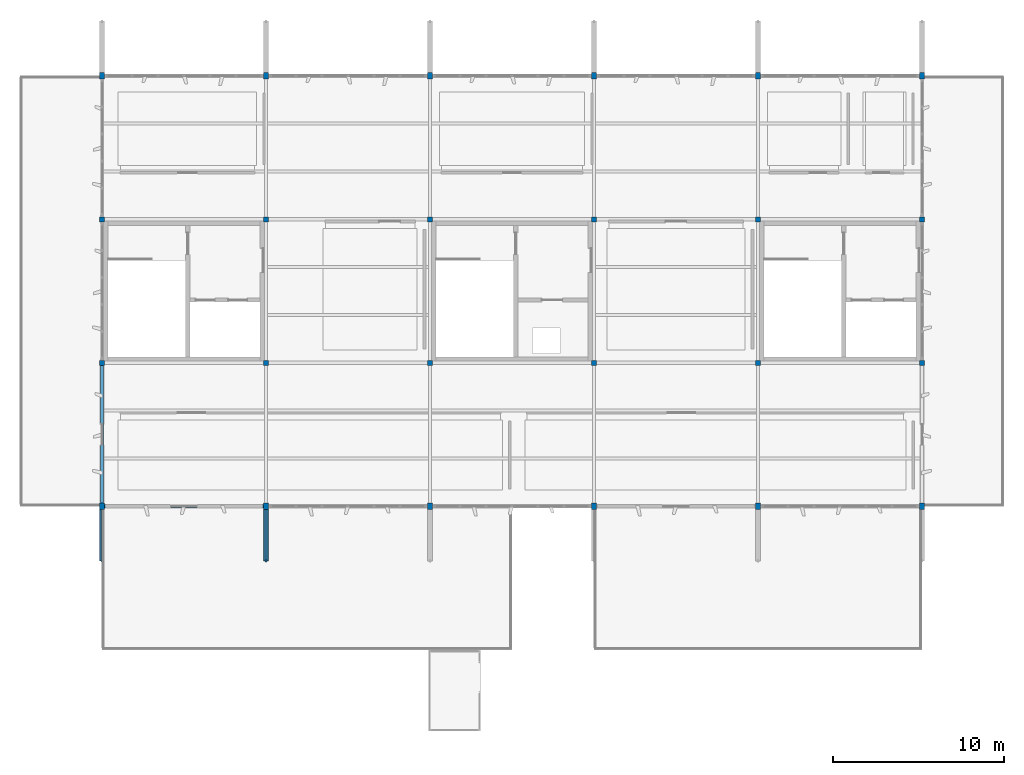
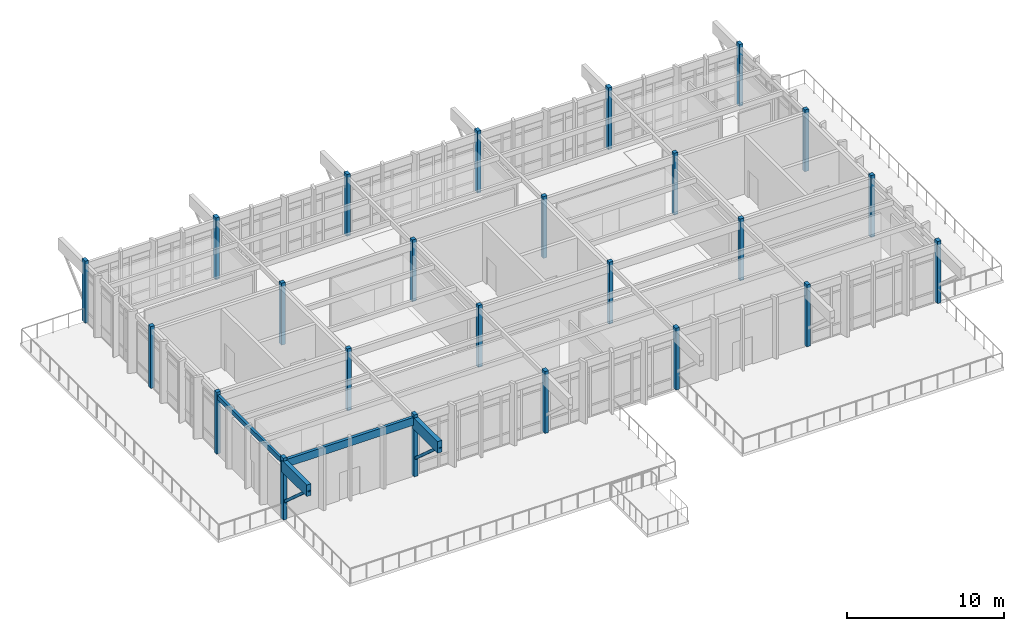
# One storey, part 1 of 19: 24 columns, 4 beams, 2 members.
"""IFC4 building model written with IfcOpenShell, lengths in metres."""

import ifcopenshell
import ifcopenshell.guid

model = None  # the IFC model being written
_history = None  # IfcOwnerHistory: only IFC2X3 demands one
_inside = {}  # id of a spatial element -> (the spatial element, [elements in it])
_under = {}  # id of a project, library or spatial element -> (it, [spatial elements below it])
_declared = {}  # id of a project -> (the project, [libraries it declares])
_typed = {}  # id of a type object -> (the type object, [elements of that type])
_made_of = {}  # id of a material, layer set ... -> (it, [elements and type objects made of it])


def new_model(schema):
    """Start an empty IFC model of exactly this schema.

    Asked for "IFC4X3", IfcOpenShell would pick the latest addendum, in which some entities
    have other attributes; the version numbers below select the first issue.
    IFC2X3 requires an IfcOwnerHistory on every rooted entity: one is made here for all.
    """
    global model, _history
    if schema == "IFC4X3":
        model = ifcopenshell.file(schema_version=(4, 3, 0, 0))
    else:
        model = ifcopenshell.file(schema=schema)
    _inside.clear()
    _under.clear()
    _declared.clear()
    _typed.clear()
    _made_of.clear()
    _history = None
    if model.schema == "IFC2X3":
        org = make("IfcOrganization", Name="unknown")
        user = make(
            "IfcPersonAndOrganization",
            ThePerson=make("IfcPerson", FamilyName="unknown"),
            TheOrganization=org,
        )
        app = make(
            "IfcApplication",
            ApplicationDeveloper=org,
            Version="unknown",
            ApplicationFullName="unknown",
            ApplicationIdentifier="unknown",
        )
        _history = make(
            "IfcOwnerHistory",
            OwningUser=user,
            OwningApplication=app,
            ChangeAction="ADDED",
            CreationDate=0,
        )
    return model


def make(cls, **values):
    """One entity of the class cls with the attributes given. An attribute that is None is left unset."""
    return model.create_entity(
        cls, **{name: value for name, value in values.items() if value is not None}
    )


def rooted(cls, **values):
    """An entity with a GlobalId (a new one), such as an element, a storey or a relation."""
    return make(cls, GlobalId=ifcopenshell.guid.new(), OwnerHistory=_history, **values)


def si_unit(unit_type, name, prefix=None):
    """IfcSIUnit, for example si_unit("LENGTHUNIT", "METRE", prefix="MILLI")."""
    return make("IfcSIUnit", UnitType=unit_type, Prefix=prefix, Name=name)


def assignment(units):
    """IfcUnitAssignment: the units of a project."""
    return None if units is None else make("IfcUnitAssignment", Units=units)


def point(xyz):
    """IfcCartesianPoint."""
    return None if xyz is None else make("IfcCartesianPoint", Coordinates=xyz)


def direction(xyz):
    """IfcDirection."""
    return None if xyz is None else make("IfcDirection", DirectionRatios=xyz)


def frame(location, z_axis=None, x_axis=None):
    """IfcAxis2Placement3D, a coordinate frame: its origin and axes. An axis left out is left unset."""
    return make(
        "IfcAxis2Placement3D",
        Location=point(location),
        Axis=direction(z_axis),
        RefDirection=direction(x_axis),
    )


def frame_2d(location, x_axis=None):
    """IfcAxis2Placement2D, a coordinate frame in the plane: its origin and x axis."""
    return make(
        "IfcAxis2Placement2D", Location=point(location), RefDirection=direction(x_axis)
    )


def origin():
    """The frame at (0, 0, 0) with its axes left unset."""
    return frame((0.0, 0.0, 0.0))


def origin_2d():
    """The frame at (0, 0) in the plane with its x axis left unset."""
    return frame_2d((0.0, 0.0))


def place(relative_to, where):
    """IfcLocalPlacement: puts the frame where relative to a parent placement (None: the world)."""
    return make(
        "IfcLocalPlacement", PlacementRelTo=relative_to, RelativePlacement=where
    )


def context(
    kind, dimensions, precision=None, world=None, true_north=None, identifier=None
):
    """IfcGeometricRepresentationContext, for example the 3D "Model" context."""
    return make(
        "IfcGeometricRepresentationContext",
        ContextIdentifier=identifier,
        ContextType=kind,
        CoordinateSpaceDimension=dimensions,
        Precision=precision,
        WorldCoordinateSystem=world,
        TrueNorth=true_north,
    )


def subcontext(parent, identifier, kind, view, scale=None):
    """IfcGeometricRepresentationSubContext, for example "Body" below "Model"."""
    return make(
        "IfcGeometricRepresentationSubContext",
        ContextIdentifier=identifier,
        ContextType=kind,
        ParentContext=parent,
        TargetScale=scale,
        TargetView=view,
    )


def project(units=None, contexts=None):
    """IfcProject with its units and contexts."""
    return rooted(
        "IfcProject",
        Name="project",
        RepresentationContexts=contexts,
        UnitsInContext=assignment(units),
    )


def spatial(cls, under=None, at=None, **own):
    """A site, building, storey or space (cls), placed at a placement, below another one or the project."""
    s = rooted(cls, ObjectPlacement=at, **own)
    if under is not None:
        _under.setdefault(under.id(), (under, []))[1].append(s)
    return s


def profile(cls, at=None, kind="AREA", **sizes):
    """A parametric profile (cls). Its sizes go by their IFC names, for example OverallWidth=200.0."""
    return make(cls, ProfileType=kind, Position=at, **sizes)


def rectangle(**sizes):
    """IfcRectangleProfileDef."""
    return profile("IfcRectangleProfileDef", **sizes)


def hollow_rectangle(**sizes):
    """IfcRectangleHollowProfileDef."""
    return profile("IfcRectangleHollowProfileDef", **sizes)


def extrude(swept, where, along, depth):
    """IfcExtrudedAreaSolid: the profile swept, set in the frame where, extruded along a direction by depth."""
    return make(
        "IfcExtrudedAreaSolid",
        SweptArea=swept,
        Position=where,
        ExtrudedDirection=direction(along),
        Depth=depth,
    )


def shape(context_of_items, identifier, shape_type, items):
    """IfcShapeRepresentation: the items that make up one representation, for example the "Body"."""
    return make(
        "IfcShapeRepresentation",
        ContextOfItems=context_of_items,
        RepresentationIdentifier=identifier,
        RepresentationType=shape_type,
        Items=items,
    )


def material(Name=None, Category=None):
    """IfcMaterial."""
    return make("IfcMaterial", Name=Name, Category=Category)


def material_profile(
    of_material, cross_section, Name=None, Category=None, Priority=None
):
    """IfcMaterialProfile: a cross section and its material."""
    return make(
        "IfcMaterialProfile",
        Name=Name,
        Material=of_material,
        Profile=cross_section,
        Priority=Priority,
        Category=Category,
    )


def profile_set(profiles, Name=None, composite=None):
    """IfcMaterialProfileSet."""
    return make(
        "IfcMaterialProfileSet",
        Name=Name,
        MaterialProfiles=profiles,
        CompositeProfile=composite,
    )


def made_of(thing, what):
    """Note that an element or type object is made of a material, layer set ...; save() writes the relation."""
    if what is not None:
        _made_of.setdefault(what.id(), (what, []))[1].append(thing)
    return thing


def type_object(cls, material=None, **own):
    """A type object (cls), such as IfcWallType, which elements share."""
    return made_of(rooted(cls, **own), material)


def element(
    cls,
    number,
    at=None,
    inside=None,
    cuts=None,
    type_object=None,
    material=None,
    context=None,
    identifier="Body",
    shape_type=None,
    held_by="IfcProductDefinitionShape",
    body=None,
    shapes=None,
    **own,
):
    """One element of the class cls, such as IfcWall. Its Tag is "e" and its number.

    at: its placement. inside: the storey or other place that contains it. cuts: it is an
    opening in that element (IfcRelVoidsElement). A single representation is given by context,
    identifier, shape_type and body (its items); several are given by shapes. held_by: the class
    of the entity that holds the representations. save() writes the other relations.
    """
    e = rooted(cls, Tag="e%d" % number, ObjectPlacement=at, **own)
    if body is not None:
        shapes = [shape(context, identifier, shape_type, body)]
    if shapes is not None:
        e.Representation = make(held_by, Representations=shapes)
    if inside is not None:
        _inside.setdefault(inside.id(), (inside, []))[1].append(e)
    if cuts is not None:
        rooted(
            "IfcRelVoidsElement", RelatingBuildingElement=cuts, RelatedOpeningElement=e
        )
    if type_object is not None:
        _typed.setdefault(type_object.id(), (type_object, []))[1].append(e)
    return made_of(e, material)


def aggregate(whole, parts):
    """IfcRelAggregates: a whole, such as a stair, and the parts it consists of."""
    return rooted("IfcRelAggregates", RelatingObject=whole, RelatedObjects=parts)


def save(model, path):
    """Write the relations noted so far, then the file.

    IfcRelAggregates (storeys below a building ...), IfcRelContainedInSpatialStructure (elements
    in a storey), IfcRelDefinesByType, IfcRelAssociatesMaterial and IfcRelDeclares: one each for
    every whole, place, type object, material and project.
    """
    for whole, parts in _under.values():
        aggregate(whole, parts)
    for where, things in _inside.values():
        rooted(
            "IfcRelContainedInSpatialStructure",
            RelatedElements=things,
            RelatingStructure=where,
        )
    for kind, things in _typed.values():
        rooted("IfcRelDefinesByType", RelatedObjects=things, RelatingType=kind)
    for what, things in _made_of.values():
        rooted("IfcRelAssociatesMaterial", RelatedObjects=things, RelatingMaterial=what)
    for by, libraries in _declared.values():
        rooted("IfcRelDeclares", RelatingContext=by, RelatedDefinitions=libraries)
    model.write(path)


model = new_model("IFC4")

# Units and contexts
model_context = context("Model", 3, precision=1e-05, world=origin(), true_north=direction((0.0, 1.0)))
body_context = subcontext(model_context, "Body", "Model", "MODEL_VIEW")
ifc_project = project(units=[si_unit("LENGTHUNIT", "METRE"), si_unit("AREAUNIT", "SQUARE_METRE"), si_unit("VOLUMEUNIT", "CUBIC_METRE"), si_unit("PLANEANGLEUNIT", "RADIAN"), si_unit("MASSUNIT", "GRAM", prefix="KILO")], contexts=[model_context])

# Site, building, storey
site_placement = place(None, origin())
site = spatial("IfcSite", under=ifc_project, at=site_placement, CompositionType="ELEMENT")
building_placement = place(site_placement, origin())
building = spatial("IfcBuilding", under=site, at=building_placement, Name="Kolvemor Railside Polytechnic", CompositionType="ELEMENT")
storey_placement = place(building_placement, frame((0.0, 0.0, 27.0)))
storey = spatial("IfcBuildingStorey", under=building, at=storey_placement, Name="L06", CompositionType="ELEMENT", Elevation=27.0)

# Columns
ifc_material_1 = material(Name="Glulam GL28h", Category="wood")
ifc_material_profile_1 = material_profile(ifc_material_1, rectangle(XDim=0.264892578125, YDim=0.3798828125, at=origin_2d()), Name="GL265x380")
ifc_profile_set_1 = profile_set([ifc_material_profile_1], Name="Glulam GL28h")
column_type_1 = type_object("IfcColumnType", Name="COL-GL265x380", PredefinedType="COLUMN", material=ifc_profile_set_1)
for number, where, z_axis, x_axis, name in (
    (1, (67.199951171875, 13.199951171875, 0.0), (0.0, 0.0, 1.0), (1.0, 0.0, 0.0), "Column L06-C001"),
    (2, (67.199951171875, 38.39990234375, 0.0), (0.0, 0.0, 1.0), (1.0, 0.0, 0.0), "Column L06-C004"),
    (3, (76.800048828125, 13.199951171875, 0.0), (0.0, 0.0, 1.0), (1.0, 0.0, 0.0), "Column L06-C005"),
    (4, (76.800048828125, 38.39990234375, 0.0), (0.0, 0.0, 1.0), (1.0, 0.0, 0.0), "Column L06-C008"),
    (5, (86.39990234375, 13.199951171875, 0.0), (0.0, 0.0, 1.0), (1.0, 0.0, 0.0), "Column L06-C009"),
    (6, (86.39990234375, 38.39990234375, 0.0), (0.0, 0.0, 1.0), (1.0, 0.0, 0.0), "Column L06-C012"),
    (7, (96.0, 13.199951171875, 0.0), (0.0, 0.0, 1.0), (1.0, 0.0, 0.0), "Column L06-C013"),
    (8, (96.0, 38.39990234375, 0.0), (0.0, 0.0, 1.0), (1.0, 0.0, 0.0), "Column L06-C016"),
    (9, (105.60009765625, 13.199951171875, 0.0), (0.0, 0.0, 1.0), (1.0, 0.0, 0.0), "Column L06-C017"),
    (10, (105.60009765625, 38.39990234375, 0.0), (0.0, 0.0, 1.0), (1.0, 0.0, 0.0), "Column L06-C020"),
    (11, (115.199951171875, 13.199951171875, 0.0), (0.0, 0.0, 1.0), (1.0, 0.0, 0.0), "Column L06-C021"),
    (12, (115.199951171875, 38.39990234375, 0.0), (0.0, 0.0, 1.0), (1.0, 0.0, 0.0), "Column L06-C024"),
):
    element("IfcColumn", number, at=place(storey_placement, frame(where, z_axis=z_axis, x_axis=x_axis)), inside=storey, type_object=column_type_1, Name=name, PredefinedType="COLUMN", context=body_context, shape_type="SweptSolid", body=[
        extrude(rectangle(XDim=0.264892578125, YDim=0.3798828125, at=origin_2d()), origin(), (0.0, 0.0, 1.0), 4.800048828125),
    ])
ifc_material_2 = material(Name="Glulam GL28h", Category="wood")
ifc_material_profile_2 = material_profile(ifc_material_2, rectangle(XDim=0.2900390625, YDim=0.2900390625, at=origin_2d()), Name="GL290x290")
ifc_profile_set_2 = profile_set([ifc_material_profile_2], Name="Glulam GL28h")
column_type_2 = type_object("IfcColumnType", Name="COL-GL290", PredefinedType="COLUMN", material=ifc_profile_set_2)
for number, where, z_axis, x_axis, name in (
    (13, (67.199951171875, 21.60009765625, 0.0), (0.0, 0.0, 1.0), (1.0, 0.0, 0.0), "Column L06-C002"),
    (14, (67.199951171875, 30.0, 0.0), (0.0, 0.0, 1.0), (1.0, 0.0, 0.0), "Column L06-C003"),
    (15, (76.800048828125, 21.60009765625, 0.0), (0.0, 0.0, 1.0), (1.0, 0.0, 0.0), "Column L06-C006"),
    (16, (76.800048828125, 30.0, 0.0), (0.0, 0.0, 1.0), (1.0, 0.0, 0.0), "Column L06-C007"),
    (17, (86.39990234375, 21.60009765625, 0.0), (0.0, 0.0, 1.0), (1.0, 0.0, 0.0), "Column L06-C010"),
    (18, (86.39990234375, 30.0, 0.0), (0.0, 0.0, 1.0), (1.0, 0.0, 0.0), "Column L06-C011"),
    (19, (96.0, 21.60009765625, 0.0), (0.0, 0.0, 1.0), (1.0, 0.0, 0.0), "Column L06-C014"),
    (20, (96.0, 30.0, 0.0), (0.0, 0.0, 1.0), (1.0, 0.0, 0.0), "Column L06-C015"),
    (21, (105.60009765625, 21.60009765625, 0.0), (0.0, 0.0, 1.0), (1.0, 0.0, 0.0), "Column L06-C018"),
    (22, (105.60009765625, 30.0, 0.0), (0.0, 0.0, 1.0), (1.0, 0.0, 0.0), "Column L06-C019"),
    (23, (115.199951171875, 21.60009765625, 0.0), (0.0, 0.0, 1.0), (1.0, 0.0, 0.0), "Column L06-C022"),
    (24, (115.199951171875, 30.0, 0.0), (0.0, 0.0, 1.0), (1.0, 0.0, 0.0), "Column L06-C023"),
):
    element("IfcColumn", number, at=place(storey_placement, frame(where, z_axis=z_axis, x_axis=x_axis)), inside=storey, type_object=column_type_2, Name=name, PredefinedType="COLUMN", context=body_context, shape_type="SweptSolid", body=[
        extrude(rectangle(XDim=0.2900390625, YDim=0.2900390625, at=origin_2d()), origin(), (0.0, 0.0, 1.0), 4.800048828125),
    ])

# Beams
ifc_material_3 = material(Name="Glulam GL28h", Category="wood")
ifc_material_profile_3 = material_profile(ifc_material_3, rectangle(XDim=0.31494140625, YDim=0.89990234375, at=origin_2d()), Name="GL315x900")
ifc_profile_set_3 = profile_set([ifc_material_profile_3], Name="Glulam GL28h")
beam_type_1 = type_object("IfcBeamType", Name="BM-GL-CANT", PredefinedType="BEAM", material=ifc_profile_set_3)
for number, where, z_axis, x_axis, name in (
    (25, (67.199951171875, 10.0, 4.114990234375), (0.0, 1.0, 0.0), (-1.0, 0.0, 0.0), "Cantilever Outrigger RF-GYC 1763"),
    (26, (76.800048828125, 10.0, 4.114990234375), (0.0, 1.0, 0.0), (-1.0, 0.0, 0.0), "Cantilever Outrigger RF-GYC 1770"),
):
    element("IfcBeam", number, at=place(storey_placement, frame(where, z_axis=z_axis, x_axis=x_axis)), inside=storey, type_object=beam_type_1, Name=name, PredefinedType="BEAM", context=body_context, shape_type="SweptSolid", body=[
        extrude(rectangle(XDim=0.31494140625, YDim=0.89990234375, at=origin_2d()), origin(), (0.0, 0.0, 1.0), 3.199951171875),
    ])
ifc_material_4 = material(Name="Glulam GL28h", Category="wood")
ifc_material_profile_4 = material_profile(ifc_material_4, rectangle(XDim=0.215087890625, YDim=0.60009765625, at=origin_2d()), Name="GL215x600")
ifc_profile_set_4 = profile_set([ifc_material_profile_4], Name="Glulam GL28h")
beam_type_2 = type_object("IfcBeamType", Name="BM-GL-EAVE", PredefinedType="BEAM", material=ifc_profile_set_4)
beam_1_placement = place(storey_placement, frame((67.199951171875, 13.199951171875, 4.264892578125), z_axis=(1.0, 0.0, 0.0), x_axis=(0.0, 1.0, 0.0)))
element("IfcBeam", 27, at=beam_1_placement, inside=storey, type_object=beam_type_2, Name="Primary Girder RF-GX 1740", PredefinedType="BEAM", context=body_context, shape_type="SweptSolid", body=[
    extrude(rectangle(XDim=0.215087890625, YDim=0.60009765625, at=origin_2d()), origin(), (0.0, 0.0, 1.0), 9.60009765625),
])
ifc_material_5 = material(Name="Glulam GL28h", Category="wood")
ifc_material_profile_5 = material_profile(ifc_material_5, rectangle(XDim=0.18505859375, YDim=0.360107421875, at=origin_2d()), Name="GL185x360")
ifc_profile_set_5 = profile_set([ifc_material_profile_5], Name="Glulam GL28h")
beam_type_3 = type_object("IfcBeamType", Name="BM-GL-TRIM", PredefinedType="LINTEL", material=ifc_profile_set_5)
beam_2_placement = place(storey_placement, frame((67.199951171875, 13.199951171875, 4.385009765625), z_axis=(0.0, 1.0, 0.0), x_axis=(-1.0, 0.0, 0.0)))
element("IfcBeam", 28, at=beam_2_placement, inside=storey, type_object=beam_type_3, Name="Primary Girder RF-GY 1760", PredefinedType="LINTEL", context=body_context, shape_type="SweptSolid", body=[
    extrude(rectangle(XDim=0.18505859375, YDim=0.360107421875, at=origin_2d()), origin(), (0.0, 0.0, 1.0), 8.400146484375),
])

# Members
ifc_material_6 = material(Name="Steel S355", Category="steel")
ifc_material_profile_6 = material_profile(ifc_material_6, hollow_rectangle(XDim=0.1201171875, YDim=0.199951171875, WallThickness=0.008056640625, InnerFilletRadius=0.008056640625, OuterFilletRadius=0.01611328125, at=origin_2d()), Name="HSS200x120x8")
ifc_profile_set_6 = profile_set([ifc_material_profile_6], Name="Steel S355")
member_type = type_object("IfcMemberType", Name="MEM-BR-HSS2", PredefinedType="BRACE", material=ifc_profile_set_6)
for number, where, z_axis, x_axis, name in (
    (29, (67.199951171875, 13.199951171875, 1.264892578125), (0.0, -0.746748845489, 0.665106128194), (1.0, 0.0, 0.0), "Overhang Knee Strut RF-KS1764"),
    (30, (76.800048828125, 13.199951171875, 1.264892578125), (0.0, -0.746748845489, 0.665106128194), (1.0, 0.0, 0.0), "Overhang Knee Strut RF-KS1771"),
):
    element("IfcMember", number, at=place(storey_placement, frame(where, z_axis=z_axis, x_axis=x_axis)), inside=storey, type_object=member_type, Name=name, PredefinedType="BRACE", context=body_context, shape_type="SweptSolid", body=[
        extrude(hollow_rectangle(XDim=0.1201171875, YDim=0.199951171875, WallThickness=0.008056640625, InnerFilletRadius=0.008056640625, OuterFilletRadius=0.01611328125, at=origin_2d()), origin(), (0.0, 0.0, 1.0), 4.28515625),
    ])

save(model, "model.ifc")
